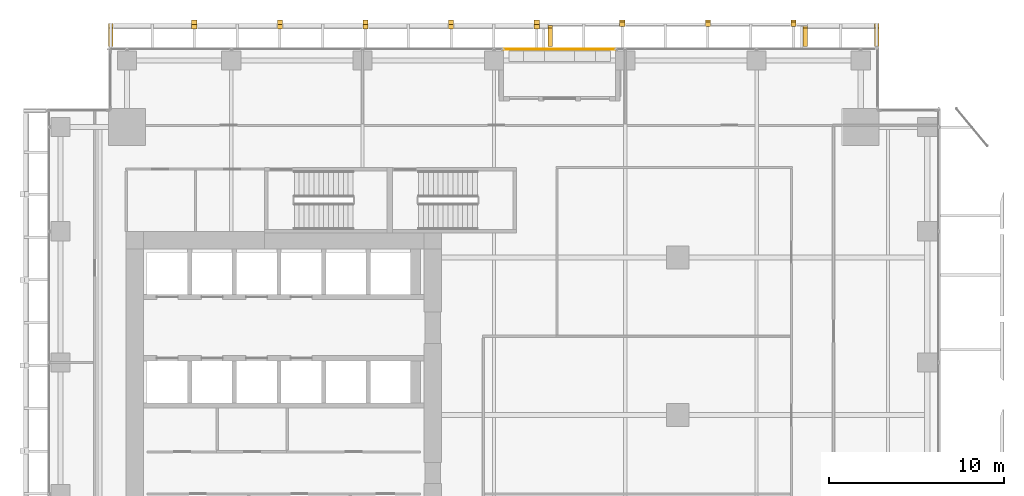
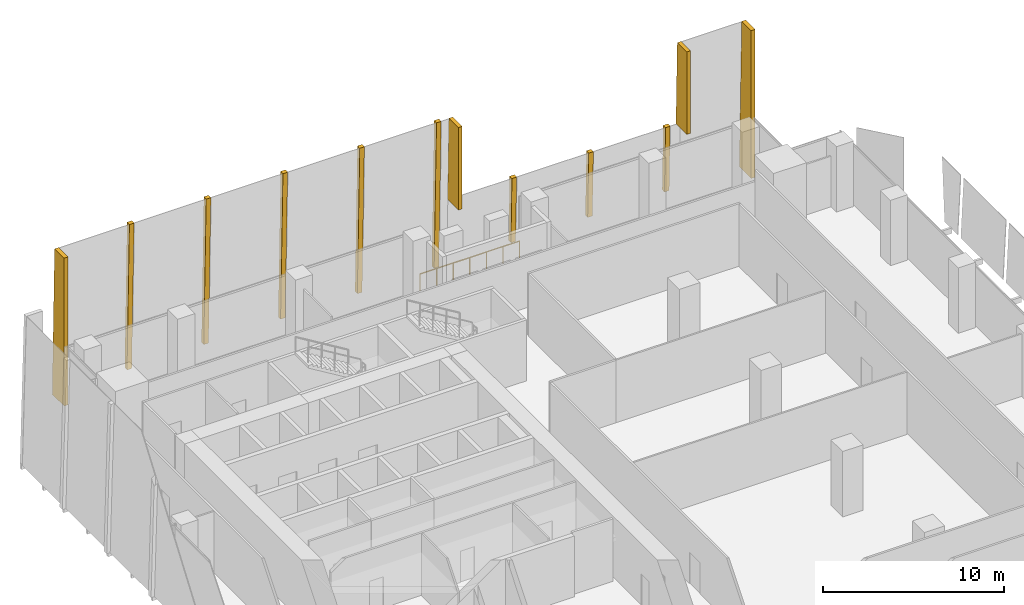
# One storey, part 33 of 34: 12 coverings, 1 railing.
"""IFC4 building model written with IfcOpenShell, lengths in metres."""

from ifc_helpers import new_model, si_unit, direction, frame, origin, origin_2d, place, context, subcontext, project, spatial, polyline, circle, outline, extrude, source, transform, mapped, material, layer, layer_set, type_object, element, save


model = new_model("IFC4")

# Units and contexts
model_context = context("Model", 3, precision=1e-05, world=origin(), true_north=direction((0.0, 1.0)))
body_context = subcontext(model_context, "Body", "Model", "MODEL_VIEW")
ifc_project = project(units=[si_unit("LENGTHUNIT", "METRE"), si_unit("AREAUNIT", "SQUARE_METRE"), si_unit("VOLUMEUNIT", "CUBIC_METRE"), si_unit("PLANEANGLEUNIT", "RADIAN"), si_unit("MASSUNIT", "GRAM", prefix="KILO")], contexts=[model_context])

# Site, building, storey
site_placement = place(None, origin())
site = spatial("IfcSite", under=ifc_project, at=site_placement, CompositionType="ELEMENT")
building_placement = place(site_placement, origin())
building = spatial("IfcBuilding", under=site, at=building_placement, Name="Khomas Fold Tower", CompositionType="ELEMENT")
storey_placement = place(building_placement, frame((0.0, 0.0, 154.300048828125)))
storey = spatial("IfcBuildingStorey", under=building, at=storey_placement, Name="L33", CompositionType="ELEMENT", Elevation=154.300048828125)

# Coverings
ifc_material_1 = material(Name="Natural stone cladding", Category="masonry")
ifc_layer = layer(ifc_material_1, 0.25)
ifc_layer_set = layer_set([ifc_layer], Name="Natural stone cladding")
covering_type = type_object("IfcCoveringType", Name="SK-Karibib marble stone mullion", PredefinedType="CLADDING", material=ifc_layer_set)
for number, where, z_axis, x_axis, name in (
    (1, (9.73876953125, 54.0673828125, 0.006591796875), (0.0, 0.999656815942, 0.026196380307), (1.0, 0.0, 0.0), "OUTER SKIN mullion L33 N2"),
    (2, (14.627685546875, 54.0673828125, 0.006591796875), (0.0, 0.999656815942, 0.026196380307), (1.0, 0.0, 0.0), "OUTER SKIN mullion L33 N4"),
    (3, (19.5166015625, 54.0673828125, 0.006591796875), (0.0, 0.999656815942, 0.026196380307), (1.0, 0.0, 0.0), "OUTER SKIN mullion L33 N6"),
    (4, (24.405517578125, 54.0673828125, 0.006591796875), (0.0, 0.999656815942, 0.026196380307), (1.0, 0.0, 0.0), "OUTER SKIN mullion L33 N8"),
    (5, (29.29443359375, 54.0673828125, 0.006591796875), (0.0, 0.999656815942, 0.026196380307), (1.0, 0.0, 0.0), "OUTER SKIN mullion L33 N10"),
):
    element("IfcCovering", number, at=place(storey_placement, frame(where, z_axis=z_axis, x_axis=x_axis)), inside=storey, type_object=covering_type, Name=name, PredefinedType="CLADDING", context=body_context, shape_type="SweptSolid", body=[
        extrude(outline(polyline([(0.0, 0.0), (0.300048828125, 0.0), (0.300048828125, -9.953367008758342), (0.0, -9.953367008758342), (0.0, 0.0)])), origin(), (0.0, 0.0, -1.0), 0.25),
    ])
for number, where, z_axis, x_axis, name in (
    (6, (34.183349609375, 54.0673828125, 0.006591796875), (0.0, 0.999657212734, 0.026181234292), (1.0, 0.0, 0.0), "OUTER SKIN mullion L33 N13"),
    (7, (39.072265625, 54.0673828125, 0.006591796875), (0.0, 0.999657212734, 0.026181234292), (1.0, 0.0, 0.0), "OUTER SKIN mullion L33 N15"),
    (8, (43.961181640625, 54.0673828125, 0.006591796875), (0.0, 0.999657212734, 0.026181234292), (1.0, 0.0, 0.0), "OUTER SKIN mullion L33 N17"),
):
    element("IfcCovering", number, at=place(storey_placement, frame(where, z_axis=z_axis, x_axis=x_axis)), inside=storey, type_object=covering_type, Name=name, PredefinedType="CLADDING", context=body_context, shape_type="SweptSolid", body=[
        extrude(outline(polyline([(0.0, 0.0), (0.300048828125, 0.0), (0.300048828125, -4.401411091424929), (0.0, -4.401411091424929), (0.0, 0.0)])), origin(), (0.0, 0.0, -1.0), 0.25),
    ])
covering_1_placement = place(storey_placement, frame((30.35009765625, 52.550048828125, 4.39990234375), z_axis=(1.0, 0.0, 0.0), x_axis=(0.0, 1.0, 0.0)))
element("IfcCovering", 9, at=covering_1_placement, inside=storey, type_object=covering_type, Name="OUTER SKIN return L33 NH1", PredefinedType="CLADDING", context=body_context, shape_type="SweptSolid", body=[
    extrude(outline(polyline([(0.0, 0.0), (1.192138671875, 0.0), (1.046875, 5.550048828125), (0.0, 5.550048828125), (0.0, 0.0)])), origin(), (0.0, 0.0, -1.0), 0.25),
])
covering_2_placement = place(storey_placement, frame((44.64990234375, 52.550048828125, 9.949951171875), z_axis=(-1.0, 0.0, 0.0), x_axis=(0.0, 1.0, 0.0)))
element("IfcCovering", 10, at=covering_2_placement, inside=storey, type_object=covering_type, Name="OUTER SKIN return L33 NH2", PredefinedType="CLADDING", context=body_context, shape_type="SweptSolid", body=[
    extrude(outline(polyline([(0.0, 0.0), (1.046875, 0.0), (1.192138671875, 5.550048828125), (0.0, 5.550048828125), (0.0, 0.0)])), origin(), (0.0, 0.0, -1.0), 0.25),
])
covering_3_placement = place(storey_placement, frame((5.0, 52.550048828125, 9.949951171875), z_axis=(-1.0, 0.0, 0.0), x_axis=(0.0, 1.0, 0.0)))
element("IfcCovering", 11, at=covering_3_placement, inside=storey, type_object=covering_type, Name="OUTER SKIN return L33 N1", PredefinedType="CLADDING", context=body_context, shape_type="SweptSolid", body=[
    extrude(outline(polyline([(0.0, 0.0), (1.046875, 0.0), (1.307373046875, 9.949951171875), (0.0, 9.949951171875), (0.0, 0.0)])), origin(), (0.0, 0.0, -1.0), 0.25),
])
covering_4_placement = place(storey_placement, frame((49.0, 52.550048828125, 0.0), z_axis=(1.0, 0.0, 0.0), x_axis=(0.0, 1.0, 0.0)))
element("IfcCovering", 12, at=covering_4_placement, inside=storey, type_object=covering_type, Name="OUTER SKIN return L33 N2", PredefinedType="CLADDING", context=body_context, shape_type="SweptSolid", body=[
    extrude(outline(polyline([(0.0, 0.0), (1.307373046875, 0.0), (1.046875, 9.949951171875), (0.0, 9.949951171875), (0.0, 0.0)])), origin(), (0.0, 0.0, -1.0), 0.25),
])

# Railing
ifc_material_2 = material(Name="Powder-coated steel", Category="steel")
railing_type = type_object("IfcRailingType", Name="Balcony guard", PredefinedType="GUARDRAIL", material=ifc_material_2)
shared_shape = source(origin(), body_context, "Body", "SweptSolid", [
    extrude(circle(Radius=0.02490234375, at=origin_2d()), frame((0.0, 0.0, 1.125), z_axis=(1.0, 0.0, 0.0), x_axis=(0.0, 1.0, 0.0)), (0.0, 0.0, 1.0), 6.33984375),
    extrude(circle(Radius=0.02001953125, at=origin_2d()), origin(), (0.0, 0.0, 1.0), 1.099853515625),
    extrude(circle(Radius=0.02001953125, at=origin_2d()), frame((1.056640625, 0.0, 0.0)), (0.0, 0.0, 1.0), 1.099853515625),
    extrude(circle(Radius=0.02001953125, at=origin_2d()), frame((2.11328125, 0.0, 0.0)), (0.0, 0.0, 1.0), 1.099853515625),
    extrude(circle(Radius=0.02001953125, at=origin_2d()), frame((3.169921875, 0.0, 0.0)), (0.0, 0.0, 1.0), 1.099853515625),
    extrude(circle(Radius=0.02001953125, at=origin_2d()), frame((4.2265625, 0.0, 0.0)), (0.0, 0.0, 1.0), 1.099853515625),
    extrude(circle(Radius=0.02001953125, at=origin_2d()), frame((5.283203125, 0.0, 0.0)), (0.0, 0.0, 1.0), 1.099853515625),
    extrude(circle(Radius=0.02001953125, at=origin_2d()), frame((6.33984375, 0.0, 0.0)), (0.0, 0.0, 1.0), 1.099853515625),
])
railing_placement = place(storey_placement, frame((27.580078125, 52.39990234375, -0.045166015625)))
element("IfcRailing", 13, at=railing_placement, inside=storey, type_object=railing_type, Name="Balcony guard BAL-L33-N3", PredefinedType="GUARDRAIL", context=body_context, shape_type="MappedRepresentation", body=[
    mapped(shared_shape, transform((0.0, 0.0, 0.0))),
])

save(model, "model.ifc")
